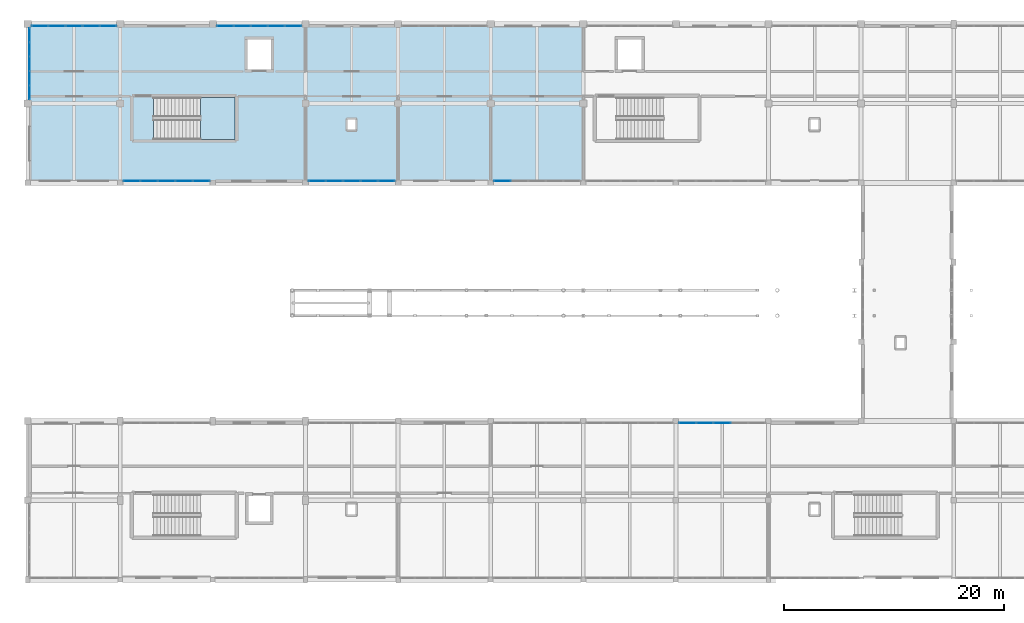
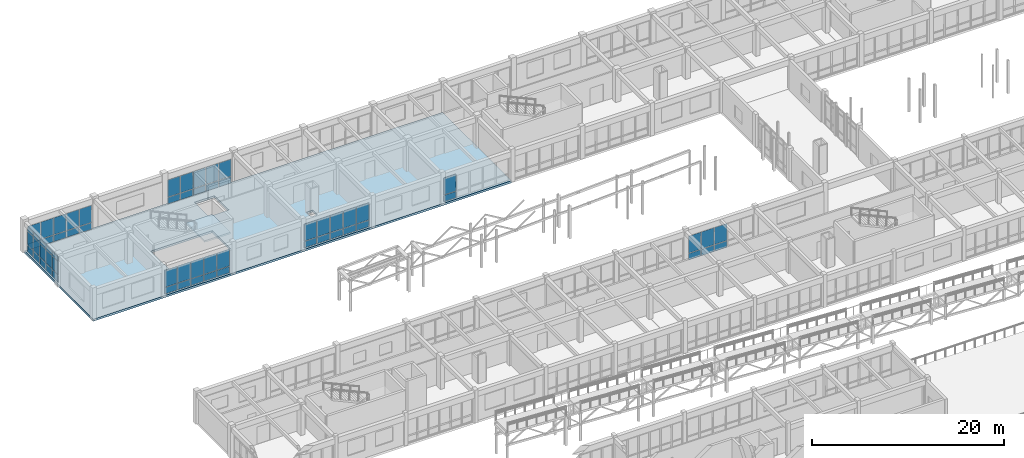
# One storey, part 63 of 89: 63 plates, 2 slabs, 8 elements without a shape of their own.
"""IFC4 building model written with IfcOpenShell, lengths in metres."""

from ifc_helpers import new_model, si_unit, direction, frame, origin, origin_2d, place, context, subcontext, project, spatial, polyline, rectangle, outline, extrude, material, layer, layer_set, type_object, element, aggregate, save


model = new_model("IFC4")

# Units and contexts
model_context = context("Model", 3, precision=1e-05, world=origin(), true_north=direction((0.0, 1.0)))
body_context = subcontext(model_context, "Body", "Model", "MODEL_VIEW")
ifc_project = project(units=[si_unit("LENGTHUNIT", "METRE"), si_unit("AREAUNIT", "SQUARE_METRE"), si_unit("VOLUMEUNIT", "CUBIC_METRE"), si_unit("PLANEANGLEUNIT", "RADIAN"), si_unit("MASSUNIT", "GRAM", prefix="KILO")], contexts=[model_context])

# Site, building, storey
site_placement = place(None, origin())
site = spatial("IfcSite", under=ifc_project, at=site_placement, CompositionType="ELEMENT")
building_placement = place(site_placement, origin())
building = spatial("IfcBuilding", under=site, at=building_placement, Name="Malvenik Polytechnic", CompositionType="ELEMENT")
storey_placement = place(building_placement, frame((0.0, 0.0, 13.5)))
storey = spatial("IfcBuildingStorey", under=building, at=storey_placement, Name="L03", CompositionType="ELEMENT", Elevation=13.5)

# Curtain wall, plates
ifc_material_1 = material(Name="Anodised aluminium 6060-T6", Category="aluminium")
curtain_wall_type_1 = type_object("IfcCurtainWallType", Name="ARC-CW-CW-02", PredefinedType="NOTDEFINED", material=ifc_material_1)
curtain_wall_1_placement = place(storey_placement, origin())
curtain_wall_1 = element("IfcCurtainWall", 1, at=curtain_wall_1_placement, inside=storey, type_object=curtain_wall_type_1, Name="Unitised Curtain Wall CW-02 L03 #166", PredefinedType="NOTDEFINED")
ifc_material_2 = material(Name="Insulated low-E double glazing 8-16-8", Category="glass")
ifc_layer_1 = layer(ifc_material_2, 0.028076171875)
ifc_layer_set_1 = layer_set([ifc_layer_1], Name="Insulated low-E double glazing 8-16-8")
plate_type_1 = type_object("IfcPlateType", Name="ARC-CWP-CP-GLZ28", PredefinedType="CURTAIN_PANEL", material=ifc_layer_set_1)
plate_1_placement = place(storey_placement, frame((59.853515625, 93.429931640625, 0.929931640625), z_axis=(0.0, 0.0, 1.0), x_axis=(1.0, 0.0, 0.0)))
plate_1 = element("IfcPlate", 2, at=plate_1_placement, type_object=plate_type_1, Name="CW-02 panel 1.2", PredefinedType="CURTAIN_PANEL", context=body_context, shape_type="SweptSolid", body=[
    extrude(rectangle(XDim=1.49072265625, YDim=0.028076171875, at=origin_2d()), origin(), (0.0, 0.0, 1.0), 2.169921875),
])
plate_2_placement = place(storey_placement, frame((61.419189453125, 93.429931640625, 0.929931640625), z_axis=(0.0, 0.0, 1.0), x_axis=(1.0, 0.0, 0.0)))
plate_2 = element("IfcPlate", 3, at=plate_2_placement, type_object=plate_type_1, Name="CW-02 panel 2.2", PredefinedType="CURTAIN_PANEL", context=body_context, shape_type="SweptSolid", body=[
    extrude(rectangle(XDim=1.520751953125, YDim=0.028076171875, at=origin_2d()), origin(), (0.0, 0.0, 1.0), 2.169921875),
])
plate_3_placement = place(storey_placement, frame((63.0, 93.429931640625, 0.929931640625), z_axis=(0.0, 0.0, 1.0), x_axis=(1.0, 0.0, 0.0)))
plate_3 = element("IfcPlate", 4, at=plate_3_placement, type_object=plate_type_1, Name="CW-02 panel 3.2", PredefinedType="CURTAIN_PANEL", context=body_context, shape_type="SweptSolid", body=[
    extrude(rectangle(XDim=1.520751953125, YDim=0.028076171875, at=origin_2d()), origin(), (0.0, 0.0, 1.0), 2.169921875),
])

# Curtain wall, plate
curtain_wall_2_placement = place(storey_placement, origin())
curtain_wall_2 = element("IfcCurtainWall", 5, at=curtain_wall_2_placement, inside=storey, type_object=curtain_wall_type_1, Name="Unitised Curtain Wall CW-02 L03 #170", PredefinedType="NOTDEFINED")
plate_4_placement = place(storey_placement, frame((43.053466796875, 115.3701171875, 0.929931640625), z_axis=(0.0, 0.0, 1.0), x_axis=(-1.0, 0.0, 0.0)))
plate_4 = element("IfcPlate", 6, at=plate_4_placement, type_object=plate_type_1, Name="CW-02 panel 5.2", PredefinedType="CURTAIN_PANEL", context=body_context, shape_type="SweptSolid", body=[
    extrude(rectangle(XDim=1.49072265625, YDim=0.028076171875, at=origin_2d()), origin(), (0.0, 0.0, 1.0), 2.169921875),
])

# Curtain wall, plates
curtain_wall_3_placement = place(storey_placement, origin())
curtain_wall_3 = element("IfcCurtainWall", 7, at=curtain_wall_3_placement, inside=storey, type_object=curtain_wall_type_1, Name="Unitised Curtain Wall CW-02 L03 #171", PredefinedType="NOTDEFINED")
plate_5_placement = place(storey_placement, frame((32.546630859375, 115.3701171875, 0.929931640625), z_axis=(0.0, 0.0, 1.0), x_axis=(-1.0, 0.0, 0.0)))
plate_5 = element("IfcPlate", 8, at=plate_5_placement, type_object=plate_type_1, Name="CW-02 panel 1.2", PredefinedType="CURTAIN_PANEL", context=body_context, shape_type="SweptSolid", body=[
    extrude(rectangle(XDim=1.49072265625, YDim=0.028076171875, at=origin_2d()), origin(), (0.0, 0.0, 1.0), 2.169921875),
])
plate_6_placement = place(storey_placement, frame((30.980712890625, 115.3701171875, 0.929931640625), z_axis=(0.0, 0.0, 1.0), x_axis=(-1.0, 0.0, 0.0)))
plate_6 = element("IfcPlate", 9, at=plate_6_placement, type_object=plate_type_1, Name="CW-02 panel 2.2", PredefinedType="CURTAIN_PANEL", context=body_context, shape_type="SweptSolid", body=[
    extrude(rectangle(XDim=1.520751953125, YDim=0.028076171875, at=origin_2d()), origin(), (0.0, 0.0, 1.0), 2.169921875),
])
plate_7_placement = place(storey_placement, frame((29.39990234375, 115.3701171875, 0.929931640625), z_axis=(0.0, 0.0, 1.0), x_axis=(-1.0, 0.0, 0.0)))
plate_7 = element("IfcPlate", 10, at=plate_7_placement, type_object=plate_type_1, Name="CW-02 panel 3.2", PredefinedType="CURTAIN_PANEL", context=body_context, shape_type="SweptSolid", body=[
    extrude(rectangle(XDim=1.520751953125, YDim=0.028076171875, at=origin_2d()), origin(), (0.0, 0.0, 1.0), 2.169921875),
])
plate_8_placement = place(storey_placement, frame((27.819091796875, 115.3701171875, 0.929931640625), z_axis=(0.0, 0.0, 1.0), x_axis=(-1.0, 0.0, 0.0)))
plate_8 = element("IfcPlate", 11, at=plate_8_placement, type_object=plate_type_1, Name="CW-02 panel 4.2", PredefinedType="CURTAIN_PANEL", context=body_context, shape_type="SweptSolid", body=[
    extrude(rectangle(XDim=1.520751953125, YDim=0.028076171875, at=origin_2d()), origin(), (0.0, 0.0, 1.0), 2.169921875),
])
plate_9_placement = place(storey_placement, frame((26.25341796875, 115.3701171875, 0.929931640625), z_axis=(0.0, 0.0, 1.0), x_axis=(-1.0, 0.0, 0.0)))
plate_9 = element("IfcPlate", 12, at=plate_9_placement, type_object=plate_type_1, Name="CW-02 panel 5.2", PredefinedType="CURTAIN_PANEL", context=body_context, shape_type="SweptSolid", body=[
    extrude(rectangle(XDim=1.49072265625, YDim=0.028076171875, at=origin_2d()), origin(), (0.0, 0.0, 1.0), 2.169921875),
])

curtain_wall_4_placement = place(storey_placement, origin())
curtain_wall_4 = element("IfcCurtainWall", 13, at=curtain_wall_4_placement, inside=storey, type_object=curtain_wall_type_1, Name="Unitised Curtain Wall CW-02 L03 #172", PredefinedType="NOTDEFINED")
plate_10_placement = place(storey_placement, frame((15.74658203125, 115.3701171875, 0.929931640625), z_axis=(0.0, 0.0, 1.0), x_axis=(-1.0, 0.0, 0.0)))
plate_10 = element("IfcPlate", 14, at=plate_10_placement, type_object=plate_type_1, Name="CW-02 panel 1.2", PredefinedType="CURTAIN_PANEL", context=body_context, shape_type="SweptSolid", body=[
    extrude(rectangle(XDim=1.49072265625, YDim=0.028076171875, at=origin_2d()), origin(), (0.0, 0.0, 1.0), 2.169921875),
])
plate_11_placement = place(storey_placement, frame((14.180908203125, 115.3701171875, 0.929931640625), z_axis=(0.0, 0.0, 1.0), x_axis=(-1.0, 0.0, 0.0)))
plate_11 = element("IfcPlate", 15, at=plate_11_placement, type_object=plate_type_1, Name="CW-02 panel 2.2", PredefinedType="CURTAIN_PANEL", context=body_context, shape_type="SweptSolid", body=[
    extrude(rectangle(XDim=1.520751953125, YDim=0.028076171875, at=origin_2d()), origin(), (0.0, 0.0, 1.0), 2.169921875),
])
plate_12_placement = place(storey_placement, frame((12.60009765625, 115.3701171875, 0.929931640625), z_axis=(0.0, 0.0, 1.0), x_axis=(-1.0, 0.0, 0.0)))
plate_12 = element("IfcPlate", 16, at=plate_12_placement, type_object=plate_type_1, Name="CW-02 panel 3.2", PredefinedType="CURTAIN_PANEL", context=body_context, shape_type="SweptSolid", body=[
    extrude(rectangle(XDim=1.520751953125, YDim=0.028076171875, at=origin_2d()), origin(), (0.0, 0.0, 1.0), 2.169921875),
])
plate_13_placement = place(storey_placement, frame((11.019287109375, 115.3701171875, 0.929931640625), z_axis=(0.0, 0.0, 1.0), x_axis=(-1.0, 0.0, 0.0)))
plate_13 = element("IfcPlate", 17, at=plate_13_placement, type_object=plate_type_1, Name="CW-02 panel 4.2", PredefinedType="CURTAIN_PANEL", context=body_context, shape_type="SweptSolid", body=[
    extrude(rectangle(XDim=1.520751953125, YDim=0.028076171875, at=origin_2d()), origin(), (0.0, 0.0, 1.0), 2.169921875),
])
plate_14_placement = place(storey_placement, frame((9.453369140625, 115.3701171875, 0.929931640625), z_axis=(0.0, 0.0, 1.0), x_axis=(-1.0, 0.0, 0.0)))
plate_14 = element("IfcPlate", 18, at=plate_14_placement, type_object=plate_type_1, Name="CW-02 panel 5.2", PredefinedType="CURTAIN_PANEL", context=body_context, shape_type="SweptSolid", body=[
    extrude(rectangle(XDim=1.49072265625, YDim=0.028076171875, at=origin_2d()), origin(), (0.0, 0.0, 1.0), 2.169921875),
])

curtain_wall_type_2 = type_object("IfcCurtainWallType", Name="ARC-CW-CW-05", PredefinedType="NOTDEFINED", material=ifc_material_1)
curtain_wall_5_placement = place(storey_placement, origin())
curtain_wall_5 = element("IfcCurtainWall", 19, at=curtain_wall_5_placement, inside=storey, type_object=curtain_wall_type_2, Name="Unitised Curtain Wall CW-05 L03 #173", PredefinedType="NOTDEFINED")
plate_15_placement = place(storey_placement, frame((0.169921875, 123.393310546875, 0.97998046875), z_axis=(0.0, 0.0, 1.0), x_axis=(0.0, 1.0, 0.0)))
plate_15 = element("IfcPlate", 20, at=plate_15_placement, type_object=plate_type_1, Name="CW-05 panel 1.2", PredefinedType="CURTAIN_PANEL", context=body_context, shape_type="SweptSolid", body=[
    extrude(rectangle(XDim=1.220703125, YDim=0.028076171875, at=origin_2d()), origin(), (0.0, 0.0, 1.0), 1.699951171875),
])
plate_16_placement = place(storey_placement, frame((0.169921875, 123.393310546875, 2.739990234375), z_axis=(0.0, 0.0, 1.0), x_axis=(0.0, 1.0, 0.0)))
plate_16 = element("IfcPlate", 21, at=plate_16_placement, type_object=plate_type_1, Name="CW-05 panel 1.3", PredefinedType="CURTAIN_PANEL", context=body_context, shape_type="SweptSolid", body=[
    extrude(rectangle(XDim=1.220703125, YDim=0.028076171875, at=origin_2d()), origin(), (0.0, 0.0, 1.0), 0.56005859375),
])
plate_17_placement = place(storey_placement, frame((0.169921875, 124.689208984375, 0.97998046875), z_axis=(0.0, 0.0, 1.0), x_axis=(0.0, 1.0, 0.0)))
plate_17 = element("IfcPlate", 22, at=plate_17_placement, type_object=plate_type_1, Name="CW-05 panel 2.2", PredefinedType="CURTAIN_PANEL", context=body_context, shape_type="SweptSolid", body=[
    extrude(rectangle(XDim=1.250732421875, YDim=0.028076171875, at=origin_2d()), origin(), (0.0, 0.0, 1.0), 1.699951171875),
])
plate_18_placement = place(storey_placement, frame((0.169921875, 124.689208984375, 2.739990234375), z_axis=(0.0, 0.0, 1.0), x_axis=(0.0, 1.0, 0.0)))
plate_18 = element("IfcPlate", 23, at=plate_18_placement, type_object=plate_type_1, Name="CW-05 panel 2.3", PredefinedType="CURTAIN_PANEL", context=body_context, shape_type="SweptSolid", body=[
    extrude(rectangle(XDim=1.250732421875, YDim=0.028076171875, at=origin_2d()), origin(), (0.0, 0.0, 1.0), 0.56005859375),
])
plate_19_placement = place(storey_placement, frame((0.169921875, 126.0, 0.97998046875), z_axis=(0.0, 0.0, 1.0), x_axis=(0.0, 1.0, 0.0)))
plate_19 = element("IfcPlate", 24, at=plate_19_placement, type_object=plate_type_1, Name="CW-05 panel 3.2", PredefinedType="CURTAIN_PANEL", context=body_context, shape_type="SweptSolid", body=[
    extrude(rectangle(XDim=1.250732421875, YDim=0.028076171875, at=origin_2d()), origin(), (0.0, 0.0, 1.0), 1.699951171875),
])
plate_20_placement = place(storey_placement, frame((0.169921875, 126.0, 2.739990234375), z_axis=(0.0, 0.0, 1.0), x_axis=(0.0, 1.0, 0.0)))
plate_20 = element("IfcPlate", 25, at=plate_20_placement, type_object=plate_type_1, Name="CW-05 panel 3.3", PredefinedType="CURTAIN_PANEL", context=body_context, shape_type="SweptSolid", body=[
    extrude(rectangle(XDim=1.250732421875, YDim=0.028076171875, at=origin_2d()), origin(), (0.0, 0.0, 1.0), 0.56005859375),
])
plate_21_placement = place(storey_placement, frame((0.169921875, 127.310791015625, 0.97998046875), z_axis=(0.0, 0.0, 1.0), x_axis=(0.0, 1.0, 0.0)))
plate_21 = element("IfcPlate", 26, at=plate_21_placement, type_object=plate_type_1, Name="CW-05 panel 4.2", PredefinedType="CURTAIN_PANEL", context=body_context, shape_type="SweptSolid", body=[
    extrude(rectangle(XDim=1.250732421875, YDim=0.028076171875, at=origin_2d()), origin(), (0.0, 0.0, 1.0), 1.699951171875),
])
plate_22_placement = place(storey_placement, frame((0.169921875, 127.310791015625, 2.739990234375), z_axis=(0.0, 0.0, 1.0), x_axis=(0.0, 1.0, 0.0)))
plate_22 = element("IfcPlate", 27, at=plate_22_placement, type_object=plate_type_1, Name="CW-05 panel 4.3", PredefinedType="CURTAIN_PANEL", context=body_context, shape_type="SweptSolid", body=[
    extrude(rectangle(XDim=1.250732421875, YDim=0.028076171875, at=origin_2d()), origin(), (0.0, 0.0, 1.0), 0.56005859375),
])
plate_23_placement = place(storey_placement, frame((0.169921875, 128.606689453125, 0.97998046875), z_axis=(0.0, 0.0, 1.0), x_axis=(0.0, 1.0, 0.0)))
plate_23 = element("IfcPlate", 28, at=plate_23_placement, type_object=plate_type_1, Name="CW-05 panel 5.2", PredefinedType="CURTAIN_PANEL", context=body_context, shape_type="SweptSolid", body=[
    extrude(rectangle(XDim=1.220703125, YDim=0.028076171875, at=origin_2d()), origin(), (0.0, 0.0, 1.0), 1.699951171875),
])
plate_24_placement = place(storey_placement, frame((0.169921875, 128.606689453125, 2.739990234375), z_axis=(0.0, 0.0, 1.0), x_axis=(0.0, 1.0, 0.0)))
plate_24 = element("IfcPlate", 29, at=plate_24_placement, type_object=plate_type_1, Name="CW-05 panel 5.3", PredefinedType="CURTAIN_PANEL", context=body_context, shape_type="SweptSolid", body=[
    extrude(rectangle(XDim=1.220703125, YDim=0.028076171875, at=origin_2d()), origin(), (0.0, 0.0, 1.0), 0.56005859375),
])

curtain_wall_6_placement = place(storey_placement, origin())
curtain_wall_6 = element("IfcCurtainWall", 30, at=curtain_wall_6_placement, inside=storey, type_object=curtain_wall_type_1, Name="Unitised Curtain Wall CW-02 L03 #174", PredefinedType="NOTDEFINED")
plate_25_placement = place(storey_placement, frame((1.11328125, 129.429931640625, 0.929931640625), z_axis=(0.0, 0.0, 1.0), x_axis=(1.0, 0.0, 0.0)))
plate_25 = element("IfcPlate", 31, at=plate_25_placement, type_object=plate_type_1, Name="CW-02 panel 1.2", PredefinedType="CURTAIN_PANEL", context=body_context, shape_type="SweptSolid", body=[
    extrude(rectangle(XDim=1.460693359375, YDim=0.028076171875, at=origin_2d()), origin(), (0.0, 0.0, 1.0), 2.169921875),
])
plate_26_placement = place(storey_placement, frame((2.649169921875, 129.429931640625, 0.929931640625), z_axis=(0.0, 0.0, 1.0), x_axis=(1.0, 0.0, 0.0)))
plate_26 = element("IfcPlate", 32, at=plate_26_placement, type_object=plate_type_1, Name="CW-02 panel 2.2", PredefinedType="CURTAIN_PANEL", context=body_context, shape_type="SweptSolid", body=[
    extrude(rectangle(XDim=1.49072265625, YDim=0.028076171875, at=origin_2d()), origin(), (0.0, 0.0, 1.0), 2.169921875),
])
plate_27_placement = place(storey_placement, frame((4.199951171875, 129.429931640625, 0.929931640625), z_axis=(0.0, 0.0, 1.0), x_axis=(1.0, 0.0, 0.0)))
plate_27 = element("IfcPlate", 33, at=plate_27_placement, type_object=plate_type_1, Name="CW-02 panel 3.2", PredefinedType="CURTAIN_PANEL", context=body_context, shape_type="SweptSolid", body=[
    extrude(rectangle(XDim=1.49072265625, YDim=0.028076171875, at=origin_2d()), origin(), (0.0, 0.0, 1.0), 2.169921875),
])
plate_28_placement = place(storey_placement, frame((5.750732421875, 129.429931640625, 0.929931640625), z_axis=(0.0, 0.0, 1.0), x_axis=(1.0, 0.0, 0.0)))
plate_28 = element("IfcPlate", 34, at=plate_28_placement, type_object=plate_type_1, Name="CW-02 panel 4.2", PredefinedType="CURTAIN_PANEL", context=body_context, shape_type="SweptSolid", body=[
    extrude(rectangle(XDim=1.49072265625, YDim=0.028076171875, at=origin_2d()), origin(), (0.0, 0.0, 1.0), 2.169921875),
])
plate_29_placement = place(storey_placement, frame((7.28662109375, 129.429931640625, 0.929931640625), z_axis=(0.0, 0.0, 1.0), x_axis=(1.0, 0.0, 0.0)))
plate_29 = element("IfcPlate", 35, at=plate_29_placement, type_object=plate_type_1, Name="CW-02 panel 5.2", PredefinedType="CURTAIN_PANEL", context=body_context, shape_type="SweptSolid", body=[
    extrude(rectangle(XDim=1.460693359375, YDim=0.028076171875, at=origin_2d()), origin(), (0.0, 0.0, 1.0), 2.169921875),
])

curtain_wall_7_placement = place(storey_placement, origin())
curtain_wall_7 = element("IfcCurtainWall", 36, at=curtain_wall_7_placement, inside=storey, type_object=curtain_wall_type_1, Name="Unitised Curtain Wall CW-02 L03 #175", PredefinedType="NOTDEFINED")
plate_30_placement = place(storey_placement, frame((17.913330078125, 129.429931640625, 0.929931640625), z_axis=(0.0, 0.0, 1.0), x_axis=(1.0, 0.0, 0.0)))
plate_30 = element("IfcPlate", 37, at=plate_30_placement, type_object=plate_type_1, Name="CW-02 panel 1.2", PredefinedType="CURTAIN_PANEL", context=body_context, shape_type="SweptSolid", body=[
    extrude(rectangle(XDim=1.460693359375, YDim=0.028076171875, at=origin_2d()), origin(), (0.0, 0.0, 1.0), 2.169921875),
])
plate_31_placement = place(storey_placement, frame((19.44921875, 129.429931640625, 0.929931640625), z_axis=(0.0, 0.0, 1.0), x_axis=(1.0, 0.0, 0.0)))
plate_31 = element("IfcPlate", 38, at=plate_31_placement, type_object=plate_type_1, Name="CW-02 panel 2.2", PredefinedType="CURTAIN_PANEL", context=body_context, shape_type="SweptSolid", body=[
    extrude(rectangle(XDim=1.49072265625, YDim=0.028076171875, at=origin_2d()), origin(), (0.0, 0.0, 1.0), 2.169921875),
])
plate_32_placement = place(storey_placement, frame((21.0, 129.429931640625, 0.929931640625), z_axis=(0.0, 0.0, 1.0), x_axis=(1.0, 0.0, 0.0)))
plate_32 = element("IfcPlate", 39, at=plate_32_placement, type_object=plate_type_1, Name="CW-02 panel 3.2", PredefinedType="CURTAIN_PANEL", context=body_context, shape_type="SweptSolid", body=[
    extrude(rectangle(XDim=1.49072265625, YDim=0.028076171875, at=origin_2d()), origin(), (0.0, 0.0, 1.0), 2.169921875),
])
plate_33_placement = place(storey_placement, frame((22.55078125, 129.429931640625, 0.929931640625), z_axis=(0.0, 0.0, 1.0), x_axis=(1.0, 0.0, 0.0)))
plate_33 = element("IfcPlate", 40, at=plate_33_placement, type_object=plate_type_1, Name="CW-02 panel 4.2", PredefinedType="CURTAIN_PANEL", context=body_context, shape_type="SweptSolid", body=[
    extrude(rectangle(XDim=1.49072265625, YDim=0.028076171875, at=origin_2d()), origin(), (0.0, 0.0, 1.0), 2.169921875),
])
plate_34_placement = place(storey_placement, frame((24.086669921875, 129.429931640625, 0.929931640625), z_axis=(0.0, 0.0, 1.0), x_axis=(1.0, 0.0, 0.0)))
plate_34 = element("IfcPlate", 41, at=plate_34_placement, type_object=plate_type_1, Name="CW-02 panel 5.2", PredefinedType="CURTAIN_PANEL", context=body_context, shape_type="SweptSolid", body=[
    extrude(rectangle(XDim=1.460693359375, YDim=0.028076171875, at=origin_2d()), origin(), (0.0, 0.0, 1.0), 2.169921875),
])

# Plate
ifc_material_3 = material(Name="Insulated aluminium spandrel cassette 42mm", Category="aluminium")
ifc_layer_2 = layer(ifc_material_3, 0.0419921875)
ifc_layer_set_2 = layer_set([ifc_layer_2], Name="Insulated aluminium spandrel cassette 42mm")
plate_type_2 = type_object("IfcPlateType", Name="ARC-CWP-CP-SPN42", PredefinedType="CURTAIN_PANEL", material=ifc_layer_set_2)
plate_35_placement = place(storey_placement, frame((59.853515625, 93.429931640625, 0.06005859375), z_axis=(0.0, 0.0, 1.0), x_axis=(1.0, 0.0, 0.0)))
plate_35 = element("IfcPlate", 42, at=plate_35_placement, type_object=plate_type_2, Name="CW-02 panel 1.1", PredefinedType="CURTAIN_PANEL", context=body_context, shape_type="SweptSolid", body=[
    extrude(rectangle(XDim=1.49072265625, YDim=0.028076171875, at=origin_2d()), origin(), (0.0, 0.0, 1.0), 0.81005859375),
])

plate_36_placement = place(storey_placement, frame((61.419189453125, 93.429931640625, 0.06005859375), z_axis=(0.0, 0.0, 1.0), x_axis=(1.0, 0.0, 0.0)))
plate_36 = element("IfcPlate", 43, at=plate_36_placement, type_object=plate_type_2, Name="CW-02 panel 2.1", PredefinedType="CURTAIN_PANEL", context=body_context, shape_type="SweptSolid", body=[
    extrude(rectangle(XDim=1.520751953125, YDim=0.028076171875, at=origin_2d()), origin(), (0.0, 0.0, 1.0), 0.81005859375),
])

plate_37_placement = place(storey_placement, frame((63.0, 93.429931640625, 0.06005859375), z_axis=(0.0, 0.0, 1.0), x_axis=(1.0, 0.0, 0.0)))
plate_37 = element("IfcPlate", 44, at=plate_37_placement, type_object=plate_type_2, Name="CW-02 panel 3.1", PredefinedType="CURTAIN_PANEL", context=body_context, shape_type="SweptSolid", body=[
    extrude(rectangle(XDim=1.520751953125, YDim=0.028076171875, at=origin_2d()), origin(), (0.0, 0.0, 1.0), 0.81005859375),
])

aggregate(curtain_wall_1, [plate_35, plate_1, plate_36, plate_2, plate_37, plate_3])

plate_38_placement = place(storey_placement, frame((43.053466796875, 115.3701171875, 0.06005859375), z_axis=(0.0, 0.0, 1.0), x_axis=(-1.0, 0.0, 0.0)))
plate_38 = element("IfcPlate", 45, at=plate_38_placement, type_object=plate_type_2, Name="CW-02 panel 5.1", PredefinedType="CURTAIN_PANEL", context=body_context, shape_type="SweptSolid", body=[
    extrude(rectangle(XDim=1.49072265625, YDim=0.028076171875, at=origin_2d()), origin(), (0.0, 0.0, 1.0), 0.81005859375),
])

aggregate(curtain_wall_2, [plate_38, plate_4])

plate_39_placement = place(storey_placement, frame((32.546630859375, 115.3701171875, 0.06005859375), z_axis=(0.0, 0.0, 1.0), x_axis=(-1.0, 0.0, 0.0)))
plate_39 = element("IfcPlate", 46, at=plate_39_placement, type_object=plate_type_2, Name="CW-02 panel 1.1", PredefinedType="CURTAIN_PANEL", context=body_context, shape_type="SweptSolid", body=[
    extrude(rectangle(XDim=1.49072265625, YDim=0.028076171875, at=origin_2d()), origin(), (0.0, 0.0, 1.0), 0.81005859375),
])

plate_40_placement = place(storey_placement, frame((30.980712890625, 115.3701171875, 0.06005859375), z_axis=(0.0, 0.0, 1.0), x_axis=(-1.0, 0.0, 0.0)))
plate_40 = element("IfcPlate", 47, at=plate_40_placement, type_object=plate_type_2, Name="CW-02 panel 2.1", PredefinedType="CURTAIN_PANEL", context=body_context, shape_type="SweptSolid", body=[
    extrude(rectangle(XDim=1.520751953125, YDim=0.028076171875, at=origin_2d()), origin(), (0.0, 0.0, 1.0), 0.81005859375),
])

plate_41_placement = place(storey_placement, frame((29.39990234375, 115.3701171875, 0.06005859375), z_axis=(0.0, 0.0, 1.0), x_axis=(-1.0, 0.0, 0.0)))
plate_41 = element("IfcPlate", 48, at=plate_41_placement, type_object=plate_type_2, Name="CW-02 panel 3.1", PredefinedType="CURTAIN_PANEL", context=body_context, shape_type="SweptSolid", body=[
    extrude(rectangle(XDim=1.520751953125, YDim=0.028076171875, at=origin_2d()), origin(), (0.0, 0.0, 1.0), 0.81005859375),
])

plate_42_placement = place(storey_placement, frame((27.819091796875, 115.3701171875, 0.06005859375), z_axis=(0.0, 0.0, 1.0), x_axis=(-1.0, 0.0, 0.0)))
plate_42 = element("IfcPlate", 49, at=plate_42_placement, type_object=plate_type_2, Name="CW-02 panel 4.1", PredefinedType="CURTAIN_PANEL", context=body_context, shape_type="SweptSolid", body=[
    extrude(rectangle(XDim=1.520751953125, YDim=0.028076171875, at=origin_2d()), origin(), (0.0, 0.0, 1.0), 0.81005859375),
])

plate_43_placement = place(storey_placement, frame((26.25341796875, 115.3701171875, 0.06005859375), z_axis=(0.0, 0.0, 1.0), x_axis=(-1.0, 0.0, 0.0)))
plate_43 = element("IfcPlate", 50, at=plate_43_placement, type_object=plate_type_2, Name="CW-02 panel 5.1", PredefinedType="CURTAIN_PANEL", context=body_context, shape_type="SweptSolid", body=[
    extrude(rectangle(XDim=1.49072265625, YDim=0.028076171875, at=origin_2d()), origin(), (0.0, 0.0, 1.0), 0.81005859375),
])

aggregate(curtain_wall_3, [plate_39, plate_5, plate_40, plate_6, plate_41, plate_7, plate_42, plate_8, plate_43, plate_9])

plate_44_placement = place(storey_placement, frame((15.74658203125, 115.3701171875, 0.06005859375), z_axis=(0.0, 0.0, 1.0), x_axis=(-1.0, 0.0, 0.0)))
plate_44 = element("IfcPlate", 51, at=plate_44_placement, type_object=plate_type_2, Name="CW-02 panel 1.1", PredefinedType="CURTAIN_PANEL", context=body_context, shape_type="SweptSolid", body=[
    extrude(rectangle(XDim=1.49072265625, YDim=0.028076171875, at=origin_2d()), origin(), (0.0, 0.0, 1.0), 0.81005859375),
])

plate_45_placement = place(storey_placement, frame((14.180908203125, 115.3701171875, 0.06005859375), z_axis=(0.0, 0.0, 1.0), x_axis=(-1.0, 0.0, 0.0)))
plate_45 = element("IfcPlate", 52, at=plate_45_placement, type_object=plate_type_2, Name="CW-02 panel 2.1", PredefinedType="CURTAIN_PANEL", context=body_context, shape_type="SweptSolid", body=[
    extrude(rectangle(XDim=1.520751953125, YDim=0.028076171875, at=origin_2d()), origin(), (0.0, 0.0, 1.0), 0.81005859375),
])

plate_46_placement = place(storey_placement, frame((12.60009765625, 115.3701171875, 0.06005859375), z_axis=(0.0, 0.0, 1.0), x_axis=(-1.0, 0.0, 0.0)))
plate_46 = element("IfcPlate", 53, at=plate_46_placement, type_object=plate_type_2, Name="CW-02 panel 3.1", PredefinedType="CURTAIN_PANEL", context=body_context, shape_type="SweptSolid", body=[
    extrude(rectangle(XDim=1.520751953125, YDim=0.028076171875, at=origin_2d()), origin(), (0.0, 0.0, 1.0), 0.81005859375),
])

plate_47_placement = place(storey_placement, frame((11.019287109375, 115.3701171875, 0.06005859375), z_axis=(0.0, 0.0, 1.0), x_axis=(-1.0, 0.0, 0.0)))
plate_47 = element("IfcPlate", 54, at=plate_47_placement, type_object=plate_type_2, Name="CW-02 panel 4.1", PredefinedType="CURTAIN_PANEL", context=body_context, shape_type="SweptSolid", body=[
    extrude(rectangle(XDim=1.520751953125, YDim=0.028076171875, at=origin_2d()), origin(), (0.0, 0.0, 1.0), 0.81005859375),
])

plate_48_placement = place(storey_placement, frame((9.453369140625, 115.3701171875, 0.06005859375), z_axis=(0.0, 0.0, 1.0), x_axis=(-1.0, 0.0, 0.0)))
plate_48 = element("IfcPlate", 55, at=plate_48_placement, type_object=plate_type_2, Name="CW-02 panel 5.1", PredefinedType="CURTAIN_PANEL", context=body_context, shape_type="SweptSolid", body=[
    extrude(rectangle(XDim=1.49072265625, YDim=0.028076171875, at=origin_2d()), origin(), (0.0, 0.0, 1.0), 0.81005859375),
])

aggregate(curtain_wall_4, [plate_44, plate_10, plate_45, plate_11, plate_46, plate_12, plate_47, plate_13, plate_48, plate_14])

plate_49_placement = place(storey_placement, frame((0.169921875, 123.393310546875, 0.06005859375), z_axis=(0.0, 0.0, 1.0), x_axis=(0.0, 1.0, 0.0)))
plate_49 = element("IfcPlate", 56, at=plate_49_placement, type_object=plate_type_2, Name="CW-05 panel 1.1", PredefinedType="CURTAIN_PANEL", context=body_context, shape_type="SweptSolid", body=[
    extrude(rectangle(XDim=1.220703125, YDim=0.028076171875, at=origin_2d()), origin(), (0.0, 0.0, 1.0), 0.860107421875),
])

plate_50_placement = place(storey_placement, frame((0.169921875, 124.689208984375, 0.06005859375), z_axis=(0.0, 0.0, 1.0), x_axis=(0.0, 1.0, 0.0)))
plate_50 = element("IfcPlate", 57, at=plate_50_placement, type_object=plate_type_2, Name="CW-05 panel 2.1", PredefinedType="CURTAIN_PANEL", context=body_context, shape_type="SweptSolid", body=[
    extrude(rectangle(XDim=1.250732421875, YDim=0.028076171875, at=origin_2d()), origin(), (0.0, 0.0, 1.0), 0.860107421875),
])

plate_51_placement = place(storey_placement, frame((0.169921875, 126.0, 0.06005859375), z_axis=(0.0, 0.0, 1.0), x_axis=(0.0, 1.0, 0.0)))
plate_51 = element("IfcPlate", 58, at=plate_51_placement, type_object=plate_type_2, Name="CW-05 panel 3.1", PredefinedType="CURTAIN_PANEL", context=body_context, shape_type="SweptSolid", body=[
    extrude(rectangle(XDim=1.250732421875, YDim=0.028076171875, at=origin_2d()), origin(), (0.0, 0.0, 1.0), 0.860107421875),
])

plate_52_placement = place(storey_placement, frame((0.169921875, 127.310791015625, 0.06005859375), z_axis=(0.0, 0.0, 1.0), x_axis=(0.0, 1.0, 0.0)))
plate_52 = element("IfcPlate", 59, at=plate_52_placement, type_object=plate_type_2, Name="CW-05 panel 4.1", PredefinedType="CURTAIN_PANEL", context=body_context, shape_type="SweptSolid", body=[
    extrude(rectangle(XDim=1.250732421875, YDim=0.028076171875, at=origin_2d()), origin(), (0.0, 0.0, 1.0), 0.860107421875),
])

plate_53_placement = place(storey_placement, frame((0.169921875, 128.606689453125, 0.06005859375), z_axis=(0.0, 0.0, 1.0), x_axis=(0.0, 1.0, 0.0)))
plate_53 = element("IfcPlate", 60, at=plate_53_placement, type_object=plate_type_2, Name="CW-05 panel 5.1", PredefinedType="CURTAIN_PANEL", context=body_context, shape_type="SweptSolid", body=[
    extrude(rectangle(XDim=1.220703125, YDim=0.028076171875, at=origin_2d()), origin(), (0.0, 0.0, 1.0), 0.860107421875),
])

aggregate(curtain_wall_5, [plate_49, plate_15, plate_16, plate_50, plate_17, plate_18, plate_51, plate_19, plate_20, plate_52, plate_21, plate_22, plate_53, plate_23, plate_24])

plate_54_placement = place(storey_placement, frame((1.11328125, 129.429931640625, 0.06005859375), z_axis=(0.0, 0.0, 1.0), x_axis=(1.0, 0.0, 0.0)))
plate_54 = element("IfcPlate", 61, at=plate_54_placement, type_object=plate_type_2, Name="CW-02 panel 1.1", PredefinedType="CURTAIN_PANEL", context=body_context, shape_type="SweptSolid", body=[
    extrude(rectangle(XDim=1.460693359375, YDim=0.028076171875, at=origin_2d()), origin(), (0.0, 0.0, 1.0), 0.81005859375),
])

plate_55_placement = place(storey_placement, frame((2.649169921875, 129.429931640625, 0.06005859375), z_axis=(0.0, 0.0, 1.0), x_axis=(1.0, 0.0, 0.0)))
plate_55 = element("IfcPlate", 62, at=plate_55_placement, type_object=plate_type_2, Name="CW-02 panel 2.1", PredefinedType="CURTAIN_PANEL", context=body_context, shape_type="SweptSolid", body=[
    extrude(rectangle(XDim=1.49072265625, YDim=0.028076171875, at=origin_2d()), origin(), (0.0, 0.0, 1.0), 0.81005859375),
])

plate_56_placement = place(storey_placement, frame((4.199951171875, 129.429931640625, 0.06005859375), z_axis=(0.0, 0.0, 1.0), x_axis=(1.0, 0.0, 0.0)))
plate_56 = element("IfcPlate", 63, at=plate_56_placement, type_object=plate_type_2, Name="CW-02 panel 3.1", PredefinedType="CURTAIN_PANEL", context=body_context, shape_type="SweptSolid", body=[
    extrude(rectangle(XDim=1.49072265625, YDim=0.028076171875, at=origin_2d()), origin(), (0.0, 0.0, 1.0), 0.81005859375),
])

plate_57_placement = place(storey_placement, frame((5.750732421875, 129.429931640625, 0.06005859375), z_axis=(0.0, 0.0, 1.0), x_axis=(1.0, 0.0, 0.0)))
plate_57 = element("IfcPlate", 64, at=plate_57_placement, type_object=plate_type_2, Name="CW-02 panel 4.1", PredefinedType="CURTAIN_PANEL", context=body_context, shape_type="SweptSolid", body=[
    extrude(rectangle(XDim=1.49072265625, YDim=0.028076171875, at=origin_2d()), origin(), (0.0, 0.0, 1.0), 0.81005859375),
])

plate_58_placement = place(storey_placement, frame((7.28662109375, 129.429931640625, 0.06005859375), z_axis=(0.0, 0.0, 1.0), x_axis=(1.0, 0.0, 0.0)))
plate_58 = element("IfcPlate", 65, at=plate_58_placement, type_object=plate_type_2, Name="CW-02 panel 5.1", PredefinedType="CURTAIN_PANEL", context=body_context, shape_type="SweptSolid", body=[
    extrude(rectangle(XDim=1.460693359375, YDim=0.028076171875, at=origin_2d()), origin(), (0.0, 0.0, 1.0), 0.81005859375),
])

aggregate(curtain_wall_6, [plate_54, plate_25, plate_55, plate_26, plate_56, plate_27, plate_57, plate_28, plate_58, plate_29])

plate_59_placement = place(storey_placement, frame((17.913330078125, 129.429931640625, 0.06005859375), z_axis=(0.0, 0.0, 1.0), x_axis=(1.0, 0.0, 0.0)))
plate_59 = element("IfcPlate", 66, at=plate_59_placement, type_object=plate_type_2, Name="CW-02 panel 1.1", PredefinedType="CURTAIN_PANEL", context=body_context, shape_type="SweptSolid", body=[
    extrude(rectangle(XDim=1.460693359375, YDim=0.028076171875, at=origin_2d()), origin(), (0.0, 0.0, 1.0), 0.81005859375),
])

plate_60_placement = place(storey_placement, frame((19.44921875, 129.429931640625, 0.06005859375), z_axis=(0.0, 0.0, 1.0), x_axis=(1.0, 0.0, 0.0)))
plate_60 = element("IfcPlate", 67, at=plate_60_placement, type_object=plate_type_2, Name="CW-02 panel 2.1", PredefinedType="CURTAIN_PANEL", context=body_context, shape_type="SweptSolid", body=[
    extrude(rectangle(XDim=1.49072265625, YDim=0.028076171875, at=origin_2d()), origin(), (0.0, 0.0, 1.0), 0.81005859375),
])

plate_61_placement = place(storey_placement, frame((21.0, 129.429931640625, 0.06005859375), z_axis=(0.0, 0.0, 1.0), x_axis=(1.0, 0.0, 0.0)))
plate_61 = element("IfcPlate", 68, at=plate_61_placement, type_object=plate_type_2, Name="CW-02 panel 3.1", PredefinedType="CURTAIN_PANEL", context=body_context, shape_type="SweptSolid", body=[
    extrude(rectangle(XDim=1.49072265625, YDim=0.028076171875, at=origin_2d()), origin(), (0.0, 0.0, 1.0), 0.81005859375),
])

plate_62_placement = place(storey_placement, frame((22.55078125, 129.429931640625, 0.06005859375), z_axis=(0.0, 0.0, 1.0), x_axis=(1.0, 0.0, 0.0)))
plate_62 = element("IfcPlate", 69, at=plate_62_placement, type_object=plate_type_2, Name="CW-02 panel 4.1", PredefinedType="CURTAIN_PANEL", context=body_context, shape_type="SweptSolid", body=[
    extrude(rectangle(XDim=1.49072265625, YDim=0.028076171875, at=origin_2d()), origin(), (0.0, 0.0, 1.0), 0.81005859375),
])

plate_63_placement = place(storey_placement, frame((24.086669921875, 129.429931640625, 0.06005859375), z_axis=(0.0, 0.0, 1.0), x_axis=(1.0, 0.0, 0.0)))
plate_63 = element("IfcPlate", 70, at=plate_63_placement, type_object=plate_type_2, Name="CW-02 panel 5.1", PredefinedType="CURTAIN_PANEL", context=body_context, shape_type="SweptSolid", body=[
    extrude(rectangle(XDim=1.460693359375, YDim=0.028076171875, at=origin_2d()), origin(), (0.0, 0.0, 1.0), 0.81005859375),
])

aggregate(curtain_wall_7, [plate_59, plate_30, plate_60, plate_31, plate_61, plate_32, plate_62, plate_33, plate_63, plate_34])

# Stair, slab
ifc_material_4 = material(Name="Concrete C35/45", Category="concrete")
stair_type = type_object("IfcStairType", Name="ARC-STR-ST-01", PredefinedType="HALF_TURN_STAIR", material=ifc_material_4)
stair_placement = place(storey_placement, origin())
stair = element("IfcStair", 71, at=stair_placement, inside=storey, type_object=stair_type, Name="L03 Escape Stair ST-01", PredefinedType="HALF_TURN_STAIR")
ifc_layer_3 = layer(ifc_material_4, 0.199951171875)
ifc_layer_set_3 = layer_set([ifc_layer_3], Name="Concrete C35/45")
slab_type_1 = type_object("IfcSlabType", Name="ARC-SLB-STLND", PredefinedType="LANDING", material=ifc_layer_set_3)
slab_1_placement = place(storey_placement, frame((0.0, 0.0, 1.89990234375)))
slab_1 = element("IfcSlab", 72, at=slab_1_placement, type_object=slab_type_1, Name="ST-01 landing 1", PredefinedType="LANDING", context=body_context, shape_type="SweptSolid", body=[
    extrude(outline(polyline([(15.68994140625, 119.14990234375), (18.800048828125, 119.14990234375), (18.800048828125, 122.949951171875), (15.68994140625, 122.949951171875), (15.68994140625, 119.14990234375)])), origin(), (0.0, 0.0, 1.0), 0.2001953125),
])
aggregate(stair, [slab_1])

# Slab
ifc_layer_4 = layer(ifc_material_4, 0.260009765625)
ifc_layer_set_4 = layer_set([ifc_layer_4], Name="Concrete C35/45")
slab_type_2 = type_object("IfcSlabType", Name="STR-SLB-FLR-260", PredefinedType="FLOOR", material=ifc_layer_set_4)
slab_2_placement = place(storey_placement, frame((0.0, 0.0, -0.260009765625)))
element("IfcSlab", 73, at=slab_2_placement, inside=storey, type_object=slab_type_2, Name="Structural Slab L03-V1 #80", PredefinedType="FLOOR", context=body_context, shape_type="SweptSolid", body=[
    extrude(outline(polyline([(0.0, 129.60009765625), (50.3798828125, 129.60009765625), (50.3798828125, 115.199951171875), (0.0, 115.199951171875), (0.0, 129.60009765625)]), holes=[polyline([(29.0, 120.949951171875), (29.0, 120.0), (29.75, 120.0), (29.75, 120.949951171875), (29.0, 120.949951171875)]), polyline([(18.800048828125, 122.949951171875), (11.41796875, 122.949951171875), (11.41796875, 119.14990234375), (18.800048828125, 119.14990234375), (18.800048828125, 122.949951171875)]), polyline([(22.199951171875, 128.35009765625), (19.800048828125, 128.35009765625), (19.800048828125, 125.35009765625), (22.199951171875, 125.35009765625), (22.199951171875, 128.35009765625)])]), origin(), (0.0, 0.0, 1.0), 0.260009765625),
])

save(model, "model.ifc")
